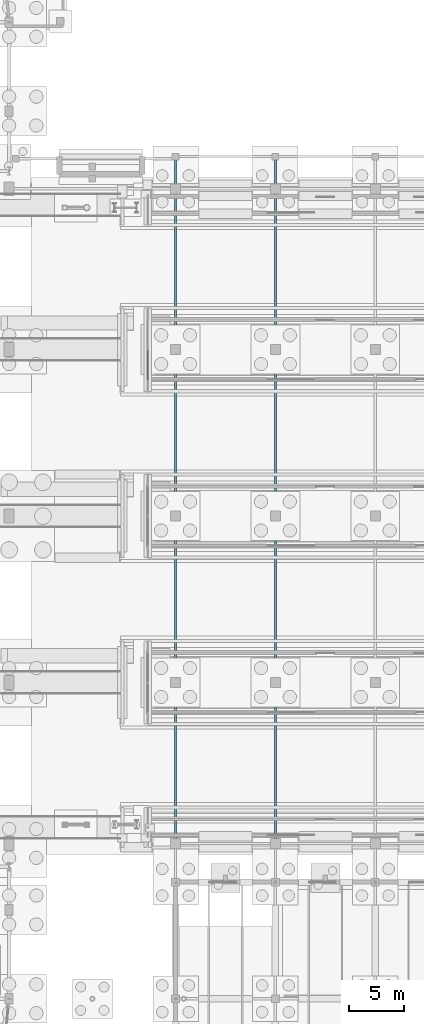
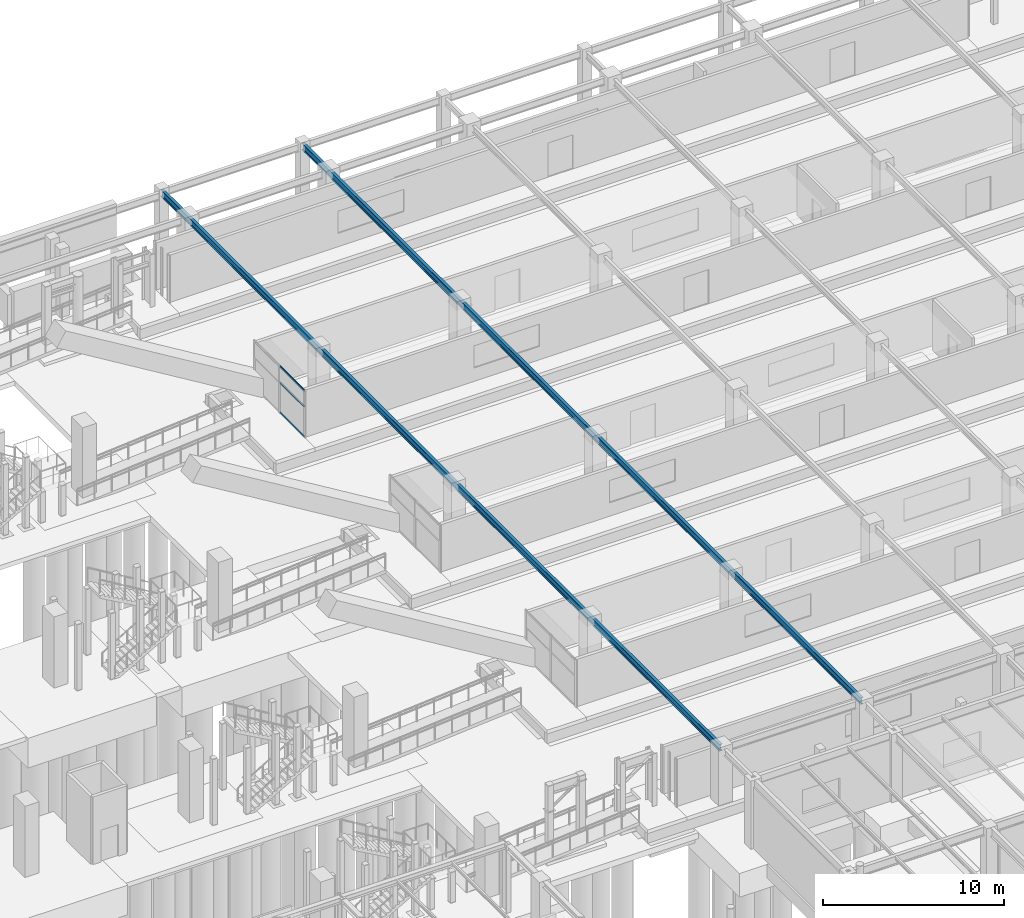
# One storey, part 86 of 160: 3 members, 2 beams, 1 element without a shape of its own.
"""IFC4 building model written with IfcOpenShell, lengths in metres."""

from ifc_helpers import new_model, si_unit, direction, frame, origin, origin_2d, place, context, subcontext, project, spatial, hollow_rectangle, i_section, extrude, material, layer, layer_set, material_profile, profile_set, type_object, element, aggregate, save


model = new_model("IFC4")

# Units and contexts
model_context = context("Model", 3, precision=1e-05, world=origin(), true_north=direction((0.0, 1.0)))
body_context = subcontext(model_context, "Body", "Model", "MODEL_VIEW")
ifc_project = project(units=[si_unit("LENGTHUNIT", "METRE"), si_unit("AREAUNIT", "SQUARE_METRE"), si_unit("VOLUMEUNIT", "CUBIC_METRE"), si_unit("PLANEANGLEUNIT", "RADIAN"), si_unit("MASSUNIT", "GRAM", prefix="KILO")], contexts=[model_context])

# Site, building, storey
site_placement = place(None, origin())
site = spatial("IfcSite", under=ifc_project, at=site_placement, CompositionType="ELEMENT")
building_placement = place(site_placement, origin())
building = spatial("IfcBuilding", under=site, at=building_placement, Name="Marlcrest Central Station", CompositionType="ELEMENT")
storey_placement = place(building_placement, origin())
storey = spatial("IfcBuildingStorey", under=building, at=storey_placement, Name="L00", CompositionType="ELEMENT", Elevation=0.0)

# Beams
ifc_material_1 = material(Name="Steel S355", Category="steel")
ifc_material_profile_1 = material_profile(ifc_material_1, i_section(OverallWidth=0.18994140625, OverallDepth=0.449951171875, WebThickness=0.009521484375, FlangeThickness=0.0146484375, FilletRadius=0.02099609375, at=origin_2d()), Name="IPE 450")
ifc_profile_set_1 = profile_set([ifc_material_profile_1], Name="Steel S355")
beam_type = type_object("IfcBeamType", Name="BM-04", PredefinedType="BEAM", material=ifc_profile_set_1)
for number, where, z_axis, x_axis, name in (
    (1, (144.0, 36.550048828125, 4.385009765625), (0.0, 1.0, 0.0), (-1.0, 0.0, 0.0), "bm-BM-04-L00-01096"),
    (2, (153.0, 36.550048828125, 4.385009765625), (0.0, 1.0, 0.0), (-1.0, 0.0, 0.0), "bm-BM-04-L00-01101"),
):
    element("IfcBeam", number, at=place(storey_placement, frame(where, z_axis=z_axis, x_axis=x_axis)), inside=storey, type_object=beam_type, Name=name, PredefinedType="BEAM", context=body_context, shape_type="SweptSolid", body=[
        extrude(i_section(OverallWidth=0.18994140625, OverallDepth=0.449951171875, WebThickness=0.009521484375, FlangeThickness=0.0146484375, FilletRadius=0.02099609375, at=origin_2d()), origin(), (0.0, 0.0, 1.0), 61.800048828125),
    ])

# Curtain wall, members
ifc_material_2 = material(Name="Anodised aluminium and hurricane laminated glass", Category="aluminium")
ifc_layer = layer(ifc_material_2, 0.179931640625, Name="CW-S1")
ifc_layer_set = layer_set([ifc_layer], Name="Anodised aluminium and hurricane laminated glass")
curtain_wall_type = type_object("IfcCurtainWallType", Name="CW-S1", PredefinedType="USERDEFINED", material=ifc_layer_set)
curtain_wall_placement = place(storey_placement, origin())
curtain_wall = element("IfcCurtainWall", 3, at=curtain_wall_placement, inside=storey, type_object=curtain_wall_type, Name="cw-L00-0178", ObjectType="STICK_CURTAIN_WALL", PredefinedType="USERDEFINED")
ifc_material_3 = material(Name="Anodised aluminium 6063-T6", Category="aluminium")
ifc_material_profile_2 = material_profile(ifc_material_3, hollow_rectangle(XDim=0.050048828125, YDim=0.1201171875, WallThickness=0.00390625, at=origin_2d()), Name="AA-RHS 120x50x4")
ifc_profile_set_2 = profile_set([ifc_material_profile_2], Name="Anodised aluminium 6063-T6")
member_type = type_object("IfcMemberType", Name="TR-02", PredefinedType="USERDEFINED", material=ifc_profile_set_2)
member_1_placement = place(storey_placement, frame((141.5, 78.282958984375, 0.955078125), z_axis=(0.0, 1.0, 0.0), x_axis=(-1.0, 0.0, 0.0)))
member_1 = element("IfcMember", 4, at=member_1_placement, type_object=member_type, Name="cw-L00-0178-tr-0-sill", ObjectType="TRANSOM", PredefinedType="USERDEFINED", context=body_context, shape_type="SweptSolid", body=[
    extrude(hollow_rectangle(XDim=0.050048828125, YDim=0.1201171875, WallThickness=0.00390625, at=origin_2d()), origin(), (0.0, 0.0, 1.0), 2.68408203125),
])
member_2_placement = place(storey_placement, frame((141.5, 78.282958984375, 2.985107421875), z_axis=(0.0, 1.0, 0.0), x_axis=(-1.0, 0.0, 0.0)))
member_2 = element("IfcMember", 5, at=member_2_placement, type_object=member_type, Name="cw-L00-0178-tr-0-mid", ObjectType="TRANSOM", PredefinedType="USERDEFINED", context=body_context, shape_type="SweptSolid", body=[
    extrude(hollow_rectangle(XDim=0.050048828125, YDim=0.1201171875, WallThickness=0.00390625, at=origin_2d()), origin(), (0.0, 0.0, 1.0), 2.68408203125),
])
member_3_placement = place(storey_placement, frame((141.5, 78.282958984375, 4.06005859375), z_axis=(0.0, 1.0, 0.0), x_axis=(-1.0, 0.0, 0.0)))
member_3 = element("IfcMember", 6, at=member_3_placement, type_object=member_type, Name="cw-L00-0178-tr-0-head", ObjectType="TRANSOM", PredefinedType="USERDEFINED", context=body_context, shape_type="SweptSolid", body=[
    extrude(hollow_rectangle(XDim=0.050048828125, YDim=0.1201171875, WallThickness=0.00390625, at=origin_2d()), origin(), (0.0, 0.0, 1.0), 2.68408203125),
])
aggregate(curtain_wall, [member_1, member_2, member_3])

save(model, "model.ifc")
